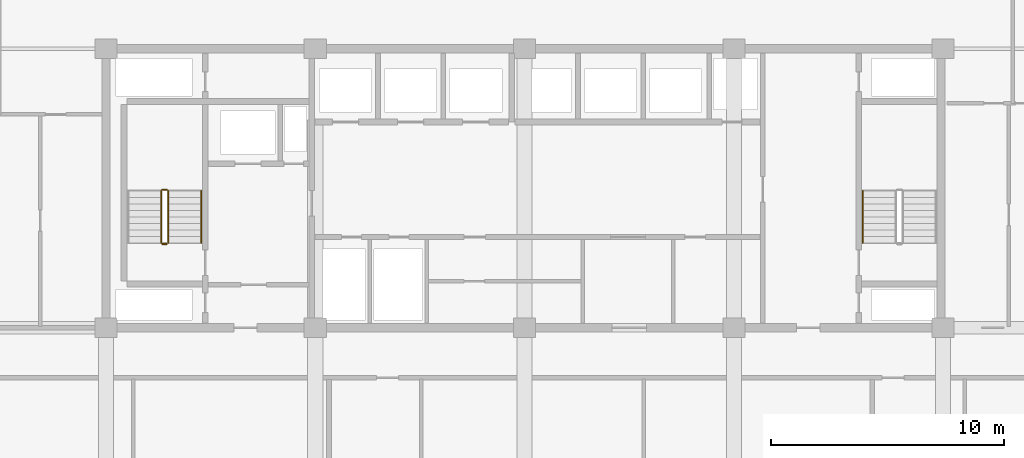
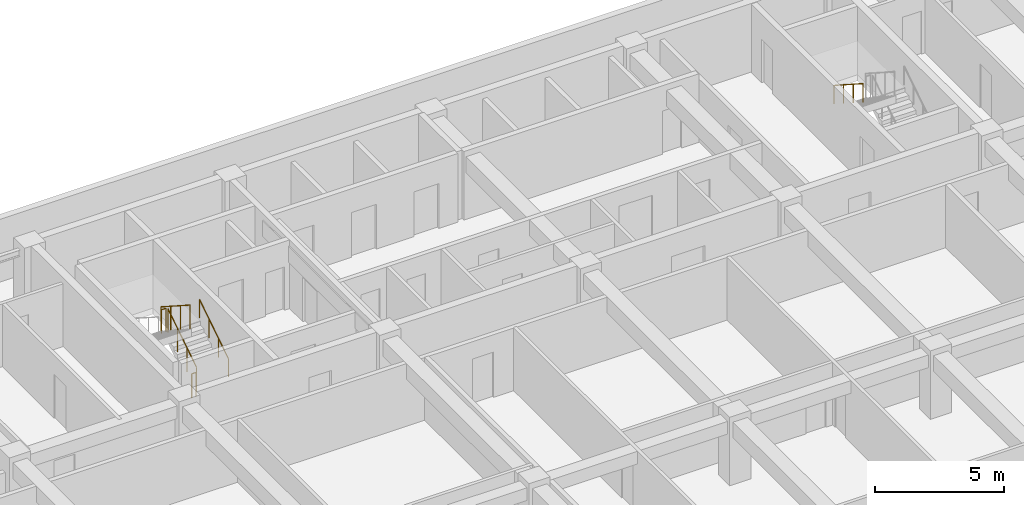
# One storey, part 20 of 23: 6 railings.
"""IFC4 building model written with IfcOpenShell, lengths in metres."""

from ifc_helpers import new_model, si_unit, direction, frame, origin, origin_2d, place, context, subcontext, project, spatial, circle, extrude, material, type_object, element, save


model = new_model("IFC4")

# Units and contexts
model_context = context("Model", 3, precision=1e-05, world=origin(), true_north=direction((0.0, 1.0)))
body_context = subcontext(model_context, "Body", "Model", "MODEL_VIEW")
ifc_project = project(units=[si_unit("LENGTHUNIT", "METRE"), si_unit("AREAUNIT", "SQUARE_METRE"), si_unit("VOLUMEUNIT", "CUBIC_METRE"), si_unit("PLANEANGLEUNIT", "RADIAN"), si_unit("MASSUNIT", "GRAM", prefix="KILO")], contexts=[model_context])

# Site, building, storey
site_placement = place(None, origin())
site = spatial("IfcSite", under=ifc_project, at=site_placement, CompositionType="ELEMENT")
building_placement = place(site_placement, origin())
building = spatial("IfcBuilding", under=site, at=building_placement, Name="Korimba Cascade Residences", CompositionType="ELEMENT")
storey_placement = place(building_placement, frame((0.0, 0.0, 59.75)))
storey = spatial("IfcBuildingStorey", under=building, at=storey_placement, Name="L16", CompositionType="ELEMENT", Elevation=59.75)

# Railings
ifc_material_1 = material(Name="Painted Steel Stairwell Guardrail", Category="steel")
railing_type_1 = type_object("IfcRailingType", Name="RLG-ST-GD1150", PredefinedType="GUARDRAIL", material=ifc_material_1)
railing_1_placement = place(storey_placement, frame((84.77001953125, 22.050048828125, 0.1806640625)))
element("IfcRailing", 1, at=railing_1_placement, inside=storey, type_object=railing_type_1, Name="L16 ST-E1 stair guard 1", PredefinedType="GUARDRAIL", context=body_context, shape_type="SweptSolid", body=[
    extrude(circle(Radius=0.02392578125, at=origin_2d()), frame((0.0, 0.0, 1.1259765625), z_axis=(0.0, 0.840436612492, 0.541909863706), x_axis=(-1.0, 0.0, 0.0)), (0.0, 0.0, 1.0), 2.665283203125),
    extrude(circle(Radius=0.02099609375, at=origin_2d()), origin(), (0.0, 0.0, 1.0), 1.101806640625),
    extrude(circle(Radius=0.02099609375, at=origin_2d()), frame((0.0, 0.74658203125, 0.4814453125)), (0.0, 0.0, 1.0), 1.101806640625),
    extrude(circle(Radius=0.02099609375, at=origin_2d()), frame((0.0, 1.493408203125, 0.962890625)), (0.0, 0.0, 1.0), 1.101806640625),
    extrude(circle(Radius=0.02099609375, at=origin_2d()), frame((0.0, 2.239990234375, 1.4443359375)), (0.0, 0.0, 1.0), 1.101806640625),
])
railing_2_placement = place(storey_placement, frame((84.719970703125, 24.340087890625, 1.625)))
element("IfcRailing", 2, at=railing_2_placement, inside=storey, type_object=railing_type_1, Name="L16 ST-E1 stair guard 2", PredefinedType="GUARDRAIL", context=body_context, shape_type="SweptSolid", body=[
    extrude(circle(Radius=0.02392578125, at=origin_2d()), frame((0.0, 0.0, 1.1259765625), z_axis=(-1.0, 0.0, 0.0), x_axis=(0.0, -1.0, 0.0)), (0.0, 0.0, 1.0), 0.199951171875),
    extrude(circle(Radius=0.02099609375, at=origin_2d()), origin(), (0.0, 0.0, 1.0), 1.101806640625),
    extrude(circle(Radius=0.02099609375, at=origin_2d()), frame((-0.199951171875, 0.0, 0.0)), (0.0, 0.0, 1.0), 1.101806640625),
])
railing_3_placement = place(storey_placement, frame((84.469970703125, 24.2900390625, 1.8056640625)))
element("IfcRailing", 3, at=railing_3_placement, inside=storey, type_object=railing_type_1, Name="L16 ST-E1 stair guard 3", PredefinedType="GUARDRAIL", context=body_context, shape_type="SweptSolid", body=[
    extrude(circle(Radius=0.02392578125, at=origin_2d()), frame((0.0, 0.0, 1.1259765625), z_axis=(0.0, -0.840436612492, 0.541909863706), x_axis=(1.0, 0.0, 0.0)), (0.0, 0.0, 1.0), 2.665283203125),
    extrude(circle(Radius=0.02099609375, at=origin_2d()), origin(), (0.0, 0.0, 1.0), 1.101806640625),
    extrude(circle(Radius=0.02099609375, at=origin_2d()), frame((0.0, -0.74658203125, 0.4814453125)), (0.0, 0.0, 1.0), 1.101806640625),
    extrude(circle(Radius=0.02099609375, at=origin_2d()), frame((0.0, -1.493408203125, 0.962890625)), (0.0, 0.0, 1.0), 1.101806640625),
    extrude(circle(Radius=0.02099609375, at=origin_2d()), frame((0.0, -2.239990234375, 1.4443359375)), (0.0, 0.0, 1.0), 1.101806640625),
])
railing_4_placement = place(storey_placement, frame((84.719970703125, 22.0, 0.0)))
element("IfcRailing", 4, at=railing_4_placement, inside=storey, type_object=railing_type_1, Name="L16 ST-E1 stair guard 4", PredefinedType="GUARDRAIL", context=body_context, shape_type="SweptSolid", body=[
    extrude(circle(Radius=0.02392578125, at=origin_2d()), frame((0.0, 0.0, 1.1259765625), z_axis=(-1.0, 0.0, 0.0), x_axis=(0.0, -1.0, 0.0)), (0.0, 0.0, 1.0), 0.199951171875),
    extrude(circle(Radius=0.02099609375, at=origin_2d()), origin(), (0.0, 0.0, 1.0), 1.101806640625),
    extrude(circle(Radius=0.02099609375, at=origin_2d()), frame((-0.199951171875, 0.0, 0.0)), (0.0, 0.0, 1.0), 1.101806640625),
])
ifc_material_2 = material(Name="Brushed Stainless Steel Handrail", Category="steel")
railing_type_2 = type_object("IfcRailingType", Name="RLG-ST-HR900", PredefinedType="HANDRAIL", material=ifc_material_2)
railing_5_placement = place(storey_placement, frame((86.18994140625, 22.050048828125, 0.364990234375)))
element("IfcRailing", 5, at=railing_5_placement, inside=storey, type_object=railing_type_2, Name="L16 ST-E1 stair handrail 1", PredefinedType="HANDRAIL", context=body_context, shape_type="SweptSolid", body=[
    extrude(circle(Radius=0.02392578125, at=origin_2d()), frame((0.0, 0.0, 0.8759765625), z_axis=(0.0, 0.840436612492, 0.541909863706), x_axis=(-1.0, 0.0, 0.0)), (0.0, 0.0, 1.0), 2.665283203125),
    extrude(circle(Radius=0.02099609375, at=origin_2d()), origin(), (0.0, 0.0, 1.0), 0.851806640625),
    extrude(circle(Radius=0.02099609375, at=origin_2d()), frame((0.0, 0.74658203125, 0.4814453125)), (0.0, 0.0, 1.0), 0.851806640625),
    extrude(circle(Radius=0.02099609375, at=origin_2d()), frame((0.0, 1.493408203125, 0.962890625)), (0.0, 0.0, 1.0), 0.851806640625),
    extrude(circle(Radius=0.02099609375, at=origin_2d()), frame((0.0, 2.239990234375, 1.4443359375)), (0.0, 0.0, 1.0), 0.851806640625),
])
railing_6_placement = place(storey_placement, frame((114.64990234375, 24.2900390625, 1.989990234375)))
element("IfcRailing", 6, at=railing_6_placement, inside=storey, type_object=railing_type_2, Name="L16 ST-E2 stair handrail 2", PredefinedType="HANDRAIL", context=body_context, shape_type="SweptSolid", body=[
    extrude(circle(Radius=0.02392578125, at=origin_2d()), frame((0.0, 0.0, 0.8759765625), z_axis=(0.0, -0.840436612492, 0.541909863706), x_axis=(1.0, 0.0, 0.0)), (0.0, 0.0, 1.0), 2.665283203125),
    extrude(circle(Radius=0.02099609375, at=origin_2d()), origin(), (0.0, 0.0, 1.0), 0.851806640625),
    extrude(circle(Radius=0.02099609375, at=origin_2d()), frame((0.0, -0.74658203125, 0.4814453125)), (0.0, 0.0, 1.0), 0.851806640625),
    extrude(circle(Radius=0.02099609375, at=origin_2d()), frame((0.0, -1.493408203125, 0.962890625)), (0.0, 0.0, 1.0), 0.851806640625),
    extrude(circle(Radius=0.02099609375, at=origin_2d()), frame((0.0, -2.239990234375, 1.4443359375)), (0.0, 0.0, 1.0), 0.851806640625),
])

save(model, "model.ifc")
